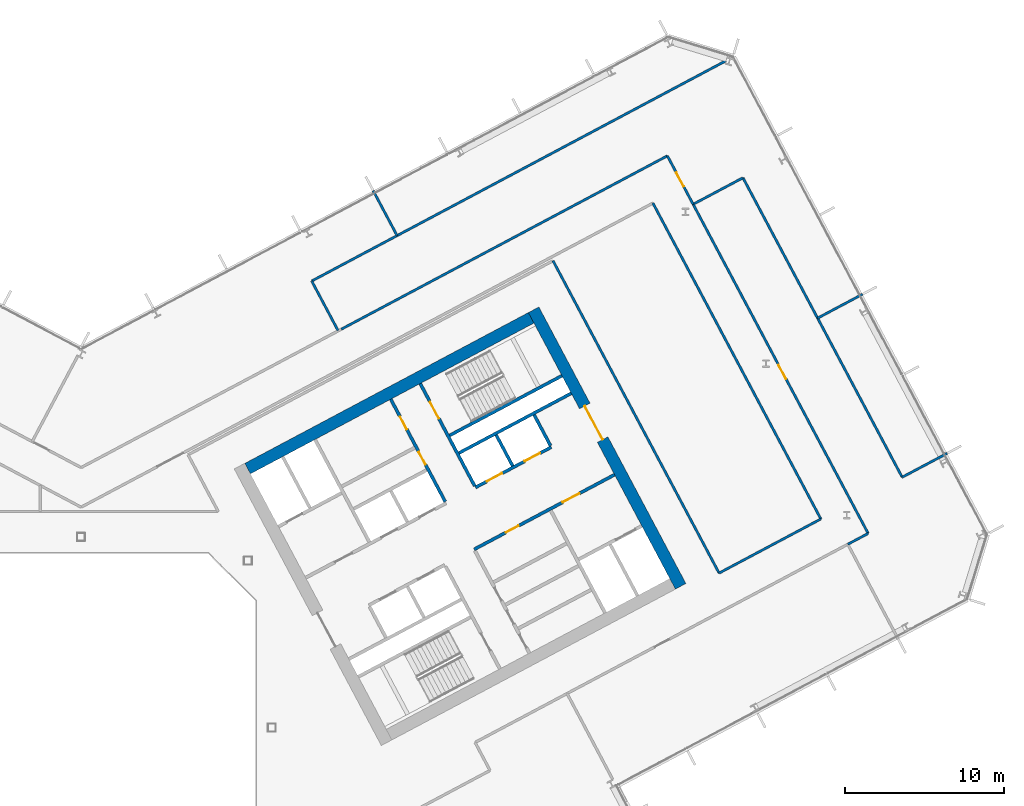
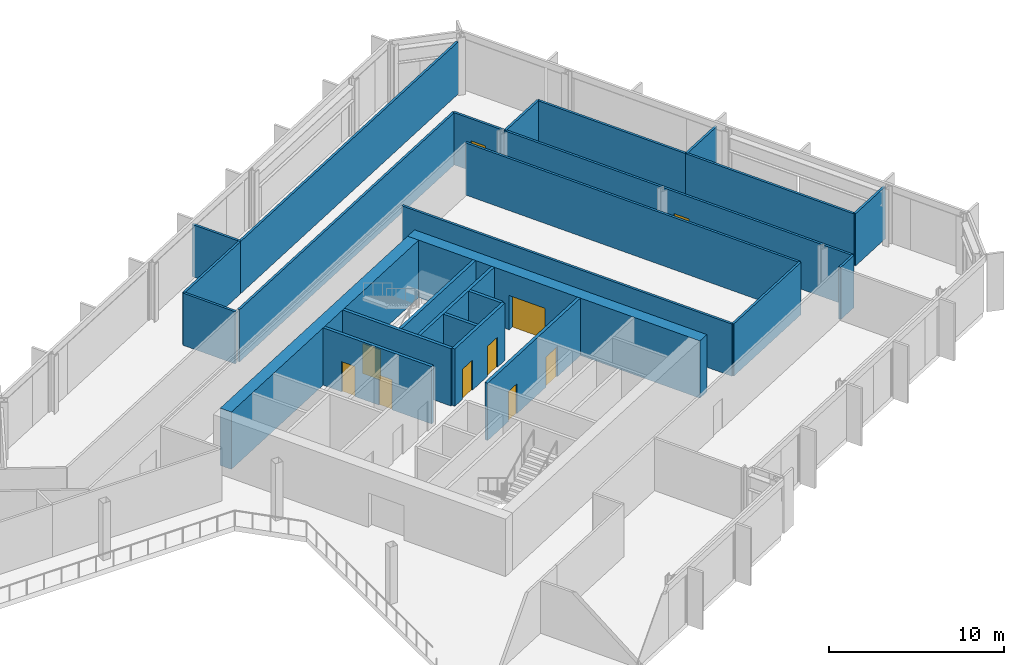
# One storey, part 17 of 28: 26 walls, 10 doors, 10 openings.
"""IFC4 building model written with IfcOpenShell, lengths in metres."""

from ifc_helpers import new_model, si_unit, direction, frame, frame_2d, origin, place, context, subcontext, project, spatial, rectangle, extrude, material, layer, layer_set, type_object, element, fill, save


model = new_model("IFC4")

# Units and contexts
model_context = context("Model", 3, precision=1e-05, world=origin(), true_north=direction((0.0, 1.0)))
body_context = subcontext(model_context, "Body", "Model", "MODEL_VIEW")
ifc_project = project(units=[si_unit("LENGTHUNIT", "METRE"), si_unit("AREAUNIT", "SQUARE_METRE"), si_unit("VOLUMEUNIT", "CUBIC_METRE"), si_unit("PLANEANGLEUNIT", "RADIAN"), si_unit("MASSUNIT", "GRAM", prefix="KILO")], contexts=[model_context])

# Site, building, storey
site_placement = place(None, origin())
site = spatial("IfcSite", under=ifc_project, at=site_placement, CompositionType="ELEMENT")
building_placement = place(site_placement, origin())
building = spatial("IfcBuilding", under=site, at=building_placement, Name="Cormorant Relay Tower", CompositionType="ELEMENT")
storey_placement = place(building_placement, frame((0.0, 0.0, 154.199951171875)))
storey = spatial("IfcBuildingStorey", under=building, at=storey_placement, Name="L32", CompositionType="ELEMENT", Elevation=154.199951171875)

# Wall
ifc_material_1 = material(Name="Concrete 40 MPa", Category="concrete")
ifc_layer_1 = layer(ifc_material_1, 0.199951171875)
ifc_layer_set_1 = layer_set([ifc_layer_1], Name="Core internal wall 200")
wall_type_1 = type_object("IfcWallType", Name="Core internal wall 200", PredefinedType="SOLIDWALL", material=ifc_layer_set_1)
wall_1_placement = place(storey_placement, frame((27.144287109375, 16.471435546875, 0.0), z_axis=(0.0, 0.0, 1.0), x_axis=(-0.469401318492, 0.882984938828, 0.0)))
element("IfcWall", 1, at=wall_1_placement, inside=storey, type_object=wall_type_1, Name="L32 core B shaft and room wall", PredefinedType="SOLIDWALL", context=body_context, shape_type="SweptSolid", body=[
    extrude(rectangle(XDim=2.199951171875, YDim=0.199951171875, at=frame_2d((1.10009765625, 0.0))), origin(), (0.0, 0.0, 1.0), 4.0),
])

# Wall, openings, doors
ifc_material_2 = material(Name="Concrete 50 MPa", Category="concrete")
ifc_layer_2 = layer(ifc_material_2, 0.199951171875)
ifc_layer_set_2 = layer_set([ifc_layer_2], Name="Core shaft wall 200")
wall_type_2 = type_object("IfcWallType", Name="Core shaft wall 200", PredefinedType="SHEAR", material=ifc_layer_set_2)
wall_2_placement = place(storey_placement, frame((22.90625, 14.218017578125, 0.0), z_axis=(0.0, 0.0, 1.0), x_axis=(-0.469480409012, 0.88294288918, 0.0)))
wall_2 = element("IfcWall", 2, at=wall_2_placement, inside=storey, type_object=wall_type_2, Name="L32 core B shaft wall", PredefinedType="SHEAR", context=body_context, shape_type="SweptSolid", body=[
    extrude(rectangle(XDim=7.300048828125, YDim=0.199951171875, at=frame_2d((3.64990234375, 0.0))), origin(), (0.0, 0.0, 1.0), 4.0),
])
opening_1_placement = place(wall_2_placement, frame((2.64990234375, 0.0, 0.0)))
opening_1 = element("IfcOpeningElement", 3, at=opening_1_placement, cuts=wall_2, Name="Opening CDD-208", PredefinedType="OPENING", context=body_context, shape_type="SweptSolid", body=[
    extrude(rectangle(XDim=0.89990234375, YDim=2.10009765625, at=frame_2d((0.449951171875, 1.050048828125))), frame((0.0, 0.10986328125, 0.0), z_axis=(0.0, -1.0, 0.0), x_axis=(1.0, 0.0, 0.0)), (0.0, 0.0, 1.0), 0.219970703125),
])
opening_2_placement = place(wall_2_placement, frame((5.14990234375, 0.0, 0.0)))
opening_2 = element("IfcOpeningElement", 4, at=opening_2_placement, cuts=wall_2, Name="Opening CDD-209", PredefinedType="OPENING", context=body_context, shape_type="SweptSolid", body=[
    extrude(rectangle(XDim=0.89990234375, YDim=2.10009765625, at=frame_2d((0.449951171875, 1.050048828125))), frame((0.0, 0.10986328125, 0.0), z_axis=(0.0, -1.0, 0.0), x_axis=(1.0, 0.0, 0.0)), (0.0, 0.0, 1.0), 0.219970703125),
])
ifc_material_3 = material(Name="Steel fire door", Category="steel")
door_type_1 = type_object("IfcDoorType", Name="Core room door 900x2100", OperationType="SINGLE_SWING_LEFT", PredefinedType="DOOR", material=ifc_material_3)
door_1_placement = place(opening_1_placement, origin())
door_1 = element("IfcDoor", 5, at=door_1_placement, inside=storey, type_object=door_type_1, Name="Core room door 900x2100", OperationType="SINGLE_SWING_RIGHT", OverallHeight=2.10009765625, OverallWidth=0.89990234375, PredefinedType="DOOR", context=body_context, shape_type="SweptSolid", body=[
    extrude(rectangle(XDim=0.89990234375, YDim=2.10009765625, at=frame_2d((0.449951171875, 1.050048828125))), frame((0.0, 0.02490234375, 0.0), z_axis=(0.0, -1.0, 0.0), x_axis=(1.0, 0.0, 0.0)), (0.0, 0.0, 1.0), 0.050048828125),
])
fill(opening_1, door_1)
door_2_placement = place(opening_2_placement, origin())
door_2 = element("IfcDoor", 6, at=door_2_placement, inside=storey, type_object=door_type_1, Name="Core room door 900x2100", OperationType="SINGLE_SWING_LEFT", OverallHeight=2.10009765625, OverallWidth=0.89990234375, PredefinedType="DOOR", context=body_context, shape_type="SweptSolid", body=[
    extrude(rectangle(XDim=0.89990234375, YDim=2.10009765625, at=frame_2d((0.449951171875, 1.050048828125))), frame((0.0, 0.02490234375, 0.0), z_axis=(0.0, -1.0, 0.0), x_axis=(1.0, 0.0, 0.0)), (0.0, 0.0, 1.0), 0.050048828125),
])
fill(opening_2, door_2)

# Wall, opening, door
wall_3_placement = place(storey_placement, frame((24.760498046875, 15.2041015625, 0.0), z_axis=(0.0, 0.0, 1.0), x_axis=(-0.469494272526, 0.882935517501, 0.0)))
wall_3 = element("IfcWall", 7, at=wall_3_placement, inside=storey, type_object=wall_type_2, Name="L32 core B shaft wall", PredefinedType="SHEAR", context=body_context, shape_type="SweptSolid", body=[
    extrude(rectangle(XDim=7.2998046875, YDim=0.199951171875, at=frame_2d((3.64990234375, 0.0))), origin(), (0.0, 0.0, 1.0), 4.0),
])
opening_3_placement = place(wall_3_placement, frame((4.800048828125, 0.0, 0.0)))
opening_3 = element("IfcOpeningElement", 8, at=opening_3_placement, cuts=wall_3, Name="Opening CDB-037", PredefinedType="OPENING", context=body_context, shape_type="SweptSolid", body=[
    extrude(rectangle(XDim=1.199951171875, YDim=2.10009765625, at=frame_2d((0.60009765625, 1.050048828125))), frame((0.0, 0.10986328125, 0.0), z_axis=(0.0, -1.0, 0.0), x_axis=(1.0, 0.0, 0.0)), (0.0, 0.0, 1.0), 0.219970703125),
])
ifc_material_4 = material(Name="Steel fire door", Category="steel")
door_type_2 = type_object("IfcDoorType", Name="Core stair door 1200x2100", OperationType="SINGLE_SWING_LEFT", PredefinedType="DOOR", material=ifc_material_4)
door_3_placement = place(opening_3_placement, frame((1.199951171875, 0.0, 0.0), z_axis=(0.0, 0.0, 1.0), x_axis=(-1.0, 0.0, 0.0)))
door_3 = element("IfcDoor", 9, at=door_3_placement, inside=storey, type_object=door_type_2, Name="Core stair door 1200x2100", OperationType="SINGLE_SWING_RIGHT", OverallHeight=2.10009765625, OverallWidth=1.199951171875, PredefinedType="DOOR", context=body_context, shape_type="SweptSolid", body=[
    extrude(rectangle(XDim=1.199951171875, YDim=2.10009765625, at=frame_2d((0.60009765625, 1.050048828125))), frame((0.0, 0.02490234375, 0.0), z_axis=(0.0, -1.0, 0.0), x_axis=(1.0, 0.0, 0.0)), (0.0, 0.0, 1.0), 0.050048828125),
])
fill(opening_3, door_3)

# Wall
wall_4_placement = place(storey_placement, frame((29.5283203125, 17.739013671875, 0.0), z_axis=(0.0, 0.0, 1.0), x_axis=(-0.469401318492, 0.882984938828, 0.0)))
element("IfcWall", 10, at=wall_4_placement, inside=storey, type_object=wall_type_2, Name="L32 core B shaft wall", PredefinedType="SHEAR", context=body_context, shape_type="SweptSolid", body=[
    extrude(rectangle(XDim=2.199951171875, YDim=0.199951171875, at=frame_2d((1.10009765625, 0.0))), origin(), (0.0, 0.0, 1.0), 4.0),
])

# Wall, openings, doors
wall_5_placement = place(storey_placement, frame((24.72607421875, 11.2216796875, 0.0), z_axis=(0.0, 0.0, 1.0), x_axis=(0.882940221191, 0.469485426614, 0.0)))
wall_5 = element("IfcWall", 11, at=wall_5_placement, inside=storey, type_object=wall_type_2, Name="L32 core B shaft wall", PredefinedType="SHEAR", context=body_context, shape_type="SweptSolid", body=[
    extrude(rectangle(XDim=10.0, YDim=0.199951171875, at=frame_2d((5.0, 0.0))), origin(), (0.0, 0.0, 1.0), 4.0),
])
opening_4_placement = place(wall_5_placement, frame((6.300048828125, 0.0, 0.0)))
opening_4 = element("IfcOpeningElement", 12, at=opening_4_placement, cuts=wall_5, Name="Opening CDC-030", PredefinedType="OPENING", context=body_context, shape_type="SweptSolid", body=[
    extrude(rectangle(XDim=1.199951171875, YDim=2.10009765625, at=frame_2d((0.60009765625, 1.050048828125))), frame((0.0, 0.10986328125, 0.0), z_axis=(0.0, -1.0, 0.0), x_axis=(1.0, 0.0, 0.0)), (0.0, 0.0, 1.0), 0.219970703125),
])
opening_5_placement = place(wall_5_placement, frame((2.25, 0.0, 0.0)))
opening_5 = element("IfcOpeningElement", 13, at=opening_5_placement, cuts=wall_5, Name="Opening CDD-191", PredefinedType="OPENING", context=body_context, shape_type="SweptSolid", body=[
    extrude(rectangle(XDim=0.89990234375, YDim=2.10009765625, at=frame_2d((0.449951171875, 1.050048828125))), frame((0.0, 0.10986328125, 0.0), z_axis=(0.0, -1.0, 0.0), x_axis=(1.0, 0.0, 0.0)), (0.0, 0.0, 1.0), 0.219970703125),
])
ifc_material_5 = material(Name="Steel fire door", Category="steel")
door_type_3 = type_object("IfcDoorType", Name="Core lobby door 1200x2100", OperationType="SINGLE_SWING_LEFT", PredefinedType="DOOR", material=ifc_material_5)
door_4_placement = place(opening_4_placement, origin())
door_4 = element("IfcDoor", 14, at=door_4_placement, inside=storey, type_object=door_type_3, Name="Core lobby door 1200x2100", OperationType="SINGLE_SWING_LEFT", OverallHeight=2.10009765625, OverallWidth=1.199951171875, PredefinedType="DOOR", context=body_context, shape_type="SweptSolid", body=[
    extrude(rectangle(XDim=1.199951171875, YDim=2.10009765625, at=frame_2d((0.60009765625, 1.050048828125))), frame((0.0, 0.02490234375, 0.0), z_axis=(0.0, -1.0, 0.0), x_axis=(1.0, 0.0, 0.0)), (0.0, 0.0, 1.0), 0.050048828125),
])
fill(opening_4, door_4)
door_5_placement = place(opening_5_placement, origin())
door_5 = element("IfcDoor", 15, at=door_5_placement, inside=storey, type_object=door_type_1, Name="Core room door 900x2100", OperationType="SINGLE_SWING_LEFT", OverallHeight=2.10009765625, OverallWidth=0.89990234375, PredefinedType="DOOR", context=body_context, shape_type="SweptSolid", body=[
    extrude(rectangle(XDim=0.89990234375, YDim=2.10009765625, at=frame_2d((0.449951171875, 1.050048828125))), frame((0.0, 0.02490234375, 0.0), z_axis=(0.0, -1.0, 0.0), x_axis=(1.0, 0.0, 0.0)), (0.0, 0.0, 1.0), 0.050048828125),
])
fill(opening_5, door_5)

wall_6_placement = place(storey_placement, frame((24.807373046875, 15.11572265625, 0.0), z_axis=(0.0, 0.0, 1.0), x_axis=(0.882942972946, 0.469480251476, 0.0)))
wall_6 = element("IfcWall", 16, at=wall_6_placement, inside=storey, type_object=wall_type_2, Name="L32 core B shaft wall", PredefinedType="SHEAR", context=body_context, shape_type="SweptSolid", body=[
    extrude(rectangle(XDim=5.39990234375, YDim=0.199951171875, at=frame_2d((2.699951171875, 0.0))), origin(), (0.0, 0.0, 1.0), 4.0),
])
opening_6_placement = place(wall_6_placement, frame((0.800048828125, 0.0, 0.0)))
opening_6 = element("IfcOpeningElement", 17, at=opening_6_placement, cuts=wall_6, Name="Opening LD1-046", PredefinedType="OPENING", context=body_context, shape_type="SweptSolid", body=[
    extrude(rectangle(XDim=1.10009765625, YDim=2.10009765625, at=frame_2d((0.550048828125, 1.050048828125))), frame((0.0, 0.10986328125, 0.0), z_axis=(0.0, -1.0, 0.0), x_axis=(1.0, 0.0, 0.0)), (0.0, 0.0, 1.0), 0.219970703125),
])
opening_7_placement = place(wall_6_placement, frame((3.5, 0.0, 0.0)))
opening_7 = element("IfcOpeningElement", 18, at=opening_7_placement, cuts=wall_6, Name="Opening LD1-047", PredefinedType="OPENING", context=body_context, shape_type="SweptSolid", body=[
    extrude(rectangle(XDim=1.10009765625, YDim=2.10009765625, at=frame_2d((0.550048828125, 1.050048828125))), frame((0.0, 0.10986328125, 0.0), z_axis=(0.0, -1.0, 0.0), x_axis=(1.0, 0.0, 0.0)), (0.0, 0.0, 1.0), 0.219970703125),
])
ifc_material_6 = material(Name="Stainless steel 316", Category="steel")
door_type_4 = type_object("IfcDoorType", Name="Lift landing door 1100x2100", OperationType="DOUBLE_DOOR_SLIDING", PredefinedType="DOOR", material=ifc_material_6)
door_6_placement = place(opening_6_placement, origin())
door_6 = element("IfcDoor", 19, at=door_6_placement, inside=storey, type_object=door_type_4, Name="LR3 landing door", OperationType="DOUBLE_DOOR_SLIDING", OverallHeight=2.10009765625, OverallWidth=1.10009765625, PredefinedType="DOOR", context=body_context, shape_type="SweptSolid", body=[
    extrude(rectangle(XDim=1.10009765625, YDim=2.10009765625, at=frame_2d((0.550048828125, 1.050048828125))), frame((0.0, 0.02490234375, 0.0), z_axis=(0.0, -1.0, 0.0), x_axis=(1.0, 0.0, 0.0)), (0.0, 0.0, 1.0), 0.050048828125),
])
fill(opening_6, door_6)
door_7_placement = place(opening_7_placement, origin())
door_7 = element("IfcDoor", 20, at=door_7_placement, inside=storey, type_object=door_type_4, Name="LR4 landing door", OperationType="DOUBLE_DOOR_SLIDING", OverallHeight=2.10009765625, OverallWidth=1.10009765625, PredefinedType="DOOR", context=body_context, shape_type="SweptSolid", body=[
    extrude(rectangle(XDim=1.10009765625, YDim=2.10009765625, at=frame_2d((0.550048828125, 1.050048828125))), frame((0.0, 0.02490234375, 0.0), z_axis=(0.0, -1.0, 0.0), x_axis=(1.0, 0.0, 0.0)), (0.0, 0.0, 1.0), 0.050048828125),
])
fill(opening_7, door_7)

# Walls
wall_7_placement = place(storey_placement, frame((23.76904296875, 17.28173828125, 0.0), z_axis=(0.0, 0.0, 1.0), x_axis=(0.882940221191, 0.469485426614, 0.0)))
element("IfcWall", 21, at=wall_7_placement, inside=storey, type_object=wall_type_2, Name="L32 core B shaft wall", PredefinedType="SHEAR", context=body_context, shape_type="SweptSolid", body=[
    extrude(rectangle(XDim=8.0, YDim=0.199951171875, at=frame_2d((4.0, 0.0))), origin(), (0.0, 0.0, 1.0), 4.0),
])
wall_8_placement = place(storey_placement, frame((23.18212890625, 18.385498046875, 0.0), z_axis=(0.0, 0.0, 1.0), x_axis=(0.88295287151, 0.469461634952, 0.0)))
element("IfcWall", 22, at=wall_8_placement, inside=storey, type_object=wall_type_2, Name="L32 core B shaft wall", PredefinedType="SHEAR", context=body_context, shape_type="SweptSolid", body=[
    extrude(rectangle(XDim=7.999755859375, YDim=0.199951171875, at=frame_2d((4.0, 0.0))), origin(), (0.0, 0.0, 1.0), 4.0),
])

# Wall, opening, door
ifc_material_7 = material(Name="Concrete 60 MPa", Category="concrete")
ifc_layer_3 = layer(ifc_material_7, 0.75)
ifc_layer_set_3 = layer_set([ifc_layer_3], Name="Core wall 750")
wall_type_3 = type_object("IfcWallType", Name="Core wall 750", PredefinedType="SHEAR", material=ifc_layer_set_3)
wall_9_placement = place(storey_placement, frame((37.712646484375, 8.896484375, 0.0), z_axis=(0.0, 0.0, 1.0), x_axis=(-0.469469918705, 0.88294846703, 0.0)))
wall_9 = element("IfcWall", 23, at=wall_9_placement, inside=storey, type_object=wall_type_3, Name="L32 core B wall", PredefinedType="SHEAR", context=body_context, shape_type="SweptSolid", body=[
    extrude(rectangle(XDim=19.699951171875, YDim=0.75, at=frame_2d((9.85009765625, 0.0))), origin(), (0.0, 0.0, 1.0), 4.0),
])
opening_8_placement = place(wall_9_placement, frame((10.449951171875, 0.0, 0.0)))
opening_8 = element("IfcOpeningElement", 24, at=opening_8_placement, cuts=wall_9, Name="Opening CDA-029", PredefinedType="OPENING", context=body_context, shape_type="SweptSolid", body=[
    extrude(rectangle(XDim=2.39990234375, YDim=2.39990234375, at=frame_2d((1.199951171875, 1.199951171875))), frame((0.0, 0.385009765625, 0.0), z_axis=(0.0, -1.0, 0.0), x_axis=(1.0, 0.0, 0.0)), (0.0, 0.0, 1.0), 0.77001953125),
])
ifc_material_8 = material(Name="Steel fire door", Category="steel")
door_type_5 = type_object("IfcDoorType", Name="Core lobby door 2400x2400", OperationType="DOUBLE_DOOR_SINGLE_SWING", PredefinedType="DOOR", material=ifc_material_8)
door_8_placement = place(opening_8_placement, origin())
door_8 = element("IfcDoor", 25, at=door_8_placement, inside=storey, type_object=door_type_5, Name="Core lobby door 2400x2400", OperationType="DOUBLE_DOOR_SINGLE_SWING", OverallHeight=2.39990234375, OverallWidth=2.39990234375, PredefinedType="DOOR", context=body_context, shape_type="SweptSolid", body=[
    extrude(rectangle(XDim=2.39990234375, YDim=2.39990234375, at=frame_2d((1.199951171875, 1.199951171875))), frame((0.0, 0.02490234375, 0.0), z_axis=(0.0, -1.0, 0.0), x_axis=(1.0, 0.0, 0.0)), (0.0, 0.0, 1.0), 0.050048828125),
])
fill(opening_8, door_8)

# Walls
wall_10_placement = place(storey_placement, frame((10.4736328125, 16.300048828125, 0.0), z_axis=(0.0, 0.0, 1.0), x_axis=(0.88295010195, 0.469466843842, 0.0)))
element("IfcWall", 26, at=wall_10_placement, inside=storey, type_object=wall_type_3, Name="L32 core B wall", PredefinedType="SHEAR", context=body_context, shape_type="SweptSolid", body=[
    extrude(rectangle(XDim=20.199951171875, YDim=0.75, at=frame_2d((10.10009765625, 0.0))), origin(), (0.0, 0.0, 1.0), 4.0),
])
ifc_material_9 = material(Name="Gypsum board fire partition")
ifc_layer_4 = layer(ifc_material_9, 0.14990234375)
ifc_layer_set_4 = layer_set([ifc_layer_4], Name="Corridor partition 150 EI 60")
wall_type_4 = type_object("IfcWallType", Name="Corridor partition 150 EI 60", PredefinedType="PARTITIONING", material=ifc_layer_set_4)
wall_11_placement = place(storey_placement, frame((35.968017578125, 32.9990234375, 0.0), z_axis=(0.0, 0.0, 1.0), x_axis=(0.469455871296, -0.882955935993, 0.0)))
element("IfcWall", 27, at=wall_11_placement, inside=storey, type_object=wall_type_4, Name="wall/L32/part/052", PredefinedType="PARTITIONING", context=body_context, shape_type="SweptSolid", body=[
    extrude(rectangle(XDim=22.50048828125, YDim=0.14990234375, at=frame_2d((11.250244140625, 0.0))), origin(), (0.0, 0.0, 1.0), 3.64013671875),
])
wall_12_placement = place(storey_placement, frame((46.531005859375, 13.132080078125, 0.0), z_axis=(0.0, 0.0, 1.0), x_axis=(-0.882973969552, -0.46942195208, 0.0)))
element("IfcWall", 28, at=wall_12_placement, inside=storey, type_object=wall_type_4, Name="wall/L32/part/053", PredefinedType="PARTITIONING", context=body_context, shape_type="SweptSolid", body=[
    extrude(rectangle(XDim=7.24951171875, YDim=0.14990234375, at=frame_2d((3.624755859375, 0.0))), origin(), (0.0, 0.0, 1.0), 3.64013671875),
])
wall_13_placement = place(storey_placement, frame((40.1298828125, 9.72900390625, 0.0), z_axis=(0.0, 0.0, 1.0), x_axis=(-0.469484128043, 0.882940911679, 0.0)))
element("IfcWall", 29, at=wall_13_placement, inside=storey, type_object=wall_type_4, Name="wall/L32/part/054", PredefinedType="PARTITIONING", context=body_context, shape_type="SweptSolid", body=[
    extrude(rectangle(XDim=22.24951171875, YDim=0.14990234375, at=frame_2d((11.124755859375, 0.0))), origin(), (0.0, 0.0, 1.0), 3.64013671875),
])

# Wall, opening, door
wall_14_placement = place(storey_placement, frame((38.493896484375, 32.93408203125, 0.0), z_axis=(0.0, 0.0, 1.0), x_axis=(-0.469590631125, 0.882884272801, 0.0)))
wall_14 = element("IfcWall", 30, at=wall_14_placement, inside=storey, type_object=wall_type_4, Name="wall/L32/part/068", PredefinedType="PARTITIONING", context=body_context, shape_type="SweptSolid", body=[
    extrude(rectangle(XDim=3.443359375, YDim=0.14990234375, at=frame_2d((1.7216796875, 0.0))), origin(), (0.0, 0.0, 1.0), 3.64013671875),
])
opening_9_placement = place(wall_14_placement, frame((1.25, 0.0, 0.0)))
opening_9 = element("IfcOpeningElement", 31, at=opening_9_placement, cuts=wall_14, Name="Opening DS-049", PredefinedType="OPENING", context=body_context, shape_type="SweptSolid", body=[
    extrude(rectangle(XDim=1.0, YDim=2.10009765625, at=frame_2d((0.5, 1.050048828125))), frame((0.0, 0.0849609375, 0.0), z_axis=(0.0, -1.0, 0.0), x_axis=(1.0, 0.0, 0.0)), (0.0, 0.0, 1.0), 0.169921875),
])
ifc_material_10 = material(Name="Timber door leaf", Category="wood")
door_type_6 = type_object("IfcDoorType", Name="Suite door 1000x2100", OperationType="SINGLE_SWING_LEFT", PredefinedType="DOOR", material=ifc_material_10)
door_9_placement = place(opening_9_placement, frame((1.0, 0.0, 0.0), z_axis=(0.0, 0.0, 1.0), x_axis=(-1.0, 0.0, 0.0)))
door_9 = element("IfcDoor", 32, at=door_9_placement, inside=storey, type_object=door_type_6, Name="door/L32/007", OperationType="SINGLE_SWING_RIGHT", OverallHeight=2.10009765625, OverallWidth=1.0, PredefinedType="DOOR", context=body_context, shape_type="SweptSolid", body=[
    extrude(rectangle(XDim=1.0, YDim=2.10009765625, at=frame_2d((0.5, 1.050048828125))), frame((0.0, 0.02490234375, 0.0), z_axis=(0.0, -1.0, 0.0), x_axis=(1.0, 0.0, 0.0)), (0.0, 0.0, 1.0), 0.050048828125),
])
fill(opening_9, door_9)

# Wall
wall_15_placement = place(storey_placement, frame((16.3720703125, 25.071044921875, 0.0), z_axis=(0.0, 0.0, 1.0), x_axis=(0.88294906825, 0.469468787968, 0.0)))
element("IfcWall", 33, at=wall_15_placement, inside=storey, type_object=wall_type_4, Name="wall/L32/part/069", PredefinedType="PARTITIONING", context=body_context, shape_type="SweptSolid", body=[
    extrude(rectangle(XDim=23.224365234375, YDim=0.14990234375, at=frame_2d((11.6123046875, 0.0))), origin(), (0.0, 0.0, 1.0), 3.64013671875),
])

# Wall, opening, door
wall_16_placement = place(storey_placement, frame((38.493896484375, 32.93408203125, 0.0), z_axis=(0.0, 0.0, 1.0), x_axis=(0.469489027753, -0.88293830635, 0.0)))
wall_16 = element("IfcWall", 34, at=wall_16_placement, inside=storey, type_object=wall_type_4, Name="wall/L32/part/077", PredefinedType="PARTITIONING", context=body_context, shape_type="SweptSolid", body=[
    extrude(rectangle(XDim=23.455810546875, YDim=0.14990234375, at=frame_2d((11.72802734375, 0.0))), origin(), (0.0, 0.0, 1.0), 3.64013671875),
])
opening_10_placement = place(wall_16_placement, frame((11.449951171875, 0.0, 0.0)))
opening_10 = element("IfcOpeningElement", 35, at=opening_10_placement, cuts=wall_16, Name="Opening DS-048", PredefinedType="OPENING", context=body_context, shape_type="SweptSolid", body=[
    extrude(rectangle(XDim=1.0, YDim=2.10009765625, at=frame_2d((0.5, 1.050048828125))), frame((0.0, 0.0849609375, 0.0), z_axis=(0.0, -1.0, 0.0), x_axis=(1.0, 0.0, 0.0)), (0.0, 0.0, 1.0), 0.169921875),
])
door_10_placement = place(opening_10_placement, origin())
door_10 = element("IfcDoor", 36, at=door_10_placement, inside=storey, type_object=door_type_6, Name="door/L32/006", OperationType="SINGLE_SWING_LEFT", OverallHeight=2.10009765625, OverallWidth=1.0, PredefinedType="DOOR", context=body_context, shape_type="SweptSolid", body=[
    extrude(rectangle(XDim=1.0, YDim=2.10009765625, at=frame_2d((0.5, 1.050048828125))), frame((0.0, 0.02490234375, 0.0), z_axis=(0.0, -1.0, 0.0), x_axis=(1.0, 0.0, 0.0)), (0.0, 0.0, 1.0), 0.050048828125),
])
fill(opening_10, door_10)

# Walls
wall_17_placement = place(storey_placement, frame((49.507080078125, 12.222900390625, 0.0), z_axis=(0.0, 0.0, 1.0), x_axis=(-0.882991303687, -0.469389345441, 0.0)))
element("IfcWall", 37, at=wall_17_placement, inside=storey, type_object=wall_type_4, Name="wall/L32/part/083", PredefinedType="PARTITIONING", context=body_context, shape_type="SweptSolid", body=[
    extrude(rectangle(XDim=1.448486328125, YDim=0.14990234375, at=frame_2d((0.72412109375, 0.0))), origin(), (0.0, 0.0, 1.0), 3.64013671875),
])
ifc_material_11 = material(Name="Gypsum board partition")
ifc_layer_5 = layer(ifc_material_11, 0.14990234375)
ifc_layer_set_5 = layer_set([ifc_layer_5], Name="Tenant partition 150")
wall_type_5 = type_object("IfcWallType", Name="Tenant partition 150", PredefinedType="PARTITIONING", material=ifc_layer_set_5)
wall_18_placement = place(storey_placement, frame((19.8349609375, 30.93310546875, 0.0), z_axis=(0.0, 0.0, 1.0), x_axis=(-0.882907712877, -0.46954655844, 0.0)))
element("IfcWall", 38, at=wall_18_placement, inside=storey, type_object=wall_type_5, Name="wall/L32/part/066", PredefinedType="PARTITIONING", context=body_context, shape_type="SweptSolid", body=[
    extrude(rectangle(XDim=6.03564453125, YDim=0.14990234375, at=frame_2d((3.017822265625, 0.0))), origin(), (0.0, 0.0, 1.0), 3.64013671875),
])
wall_19_placement = place(storey_placement, frame((14.506103515625, 28.09912109375, 0.0), z_axis=(0.0, 0.0, 1.0), x_axis=(0.469501472662, -0.882931688846, 0.0)))
element("IfcWall", 39, at=wall_19_placement, inside=storey, type_object=wall_type_5, Name="wall/L32/part/067", PredefinedType="PARTITIONING", context=body_context, shape_type="SweptSolid", body=[
    extrude(rectangle(XDim=3.5224609375, YDim=0.14990234375, at=frame_2d((1.76123046875, 0.0))), origin(), (0.0, 0.0, 1.0), 3.64013671875),
])
wall_20_placement = place(storey_placement, frame((18.3740234375, 33.780029296875, 0.0), z_axis=(0.0, 0.0, 1.0), x_axis=(0.469685095616, -0.882834022315, 0.0)))
element("IfcWall", 40, at=wall_20_placement, inside=storey, type_object=wall_type_5, Name="wall/L32/part/070", PredefinedType="PARTITIONING", context=body_context, shape_type="SweptSolid", body=[
    extrude(rectangle(XDim=3.199951171875, YDim=0.14990234375, at=frame_2d((1.60009765625, 0.0))), origin(), (0.0, 0.0, 1.0), 3.64013671875),
])
wall_21_placement = place(storey_placement, frame((19.8349609375, 30.93310546875, 0.0), z_axis=(0.0, 0.0, 1.0), x_axis=(0.88295274069, 0.469461880995, 0.0)))
element("IfcWall", 41, at=wall_21_placement, inside=storey, type_object=wall_type_5, Name="wall/L32/part/073", PredefinedType="PARTITIONING", context=body_context, shape_type="SweptSolid", body=[
    extrude(rectangle(XDim=23.475830078125, YDim=0.14990234375, at=frame_2d((11.73779296875, 0.0))), origin(), (0.0, 0.0, 1.0), 3.64013671875),
])
wall_22_placement = place(storey_placement, frame((46.326904296875, 25.764892578125, 0.0), z_axis=(0.0, 0.0, 1.0), x_axis=(-0.469495547168, 0.882934839719, 0.0)))
element("IfcWall", 42, at=wall_22_placement, inside=storey, type_object=wall_type_5, Name="wall/L32/part/078", PredefinedType="PARTITIONING", context=body_context, shape_type="SweptSolid", body=[
    extrude(rectangle(XDim=9.999755859375, YDim=0.14990234375, at=frame_2d((5.0, 0.0))), origin(), (0.0, 0.0, 1.0), 3.64013671875),
])
wall_23_placement = place(storey_placement, frame((41.632080078125, 34.593994140625, 0.0), z_axis=(0.0, 0.0, 1.0), x_axis=(-0.882969155568, -0.469431006981, 0.0)))
element("IfcWall", 43, at=wall_23_placement, inside=storey, type_object=wall_type_5, Name="wall/L32/part/079", PredefinedType="PARTITIONING", context=body_context, shape_type="SweptSolid", body=[
    extrude(rectangle(XDim=3.5380859375, YDim=0.14990234375, at=frame_2d((1.76904296875, 0.0))), origin(), (0.0, 0.0, 1.0), 3.64013671875),
])
wall_24_placement = place(storey_placement, frame((49.152099609375, 27.26806640625, 0.0), z_axis=(0.0, 0.0, 1.0), x_axis=(-0.882819217955, -0.469712921271, 0.0)))
element("IfcWall", 44, at=wall_24_placement, inside=storey, type_object=wall_type_5, Name="wall/L32/part/080", PredefinedType="PARTITIONING", context=body_context, shape_type="SweptSolid", body=[
    extrude(rectangle(XDim=3.2001953125, YDim=0.14990234375, at=frame_2d((1.60009765625, 0.0))), origin(), (0.0, 0.0, 1.0), 3.64013671875),
])
wall_25_placement = place(storey_placement, frame((46.326904296875, 25.764892578125, 0.0), z_axis=(0.0, 0.0, 1.0), x_axis=(0.46946183233, -0.882952766565, 0.0)))
element("IfcWall", 45, at=wall_25_placement, inside=storey, type_object=wall_type_5, Name="wall/L32/part/081", PredefinedType="PARTITIONING", context=body_context, shape_type="SweptSolid", body=[
    extrude(rectangle(XDim=11.332275390625, YDim=0.14990234375, at=frame_2d((5.666015625, 0.0))), origin(), (0.0, 0.0, 1.0), 3.64013671875),
])
wall_26_placement = place(storey_placement, frame((51.64697265625, 15.759033203125, 0.0), z_axis=(0.0, 0.0, 1.0), x_axis=(0.883154243406, 0.469082703107, 0.0)))
element("IfcWall", 46, at=wall_26_placement, inside=storey, type_object=wall_type_5, Name="wall/L32/part/082", PredefinedType="PARTITIONING", context=body_context, shape_type="SweptSolid", body=[
    extrude(rectangle(XDim=3.19970703125, YDim=0.14990234375, at=frame_2d((1.599853515625, 0.0))), origin(), (0.0, 0.0, 1.0), 3.64013671875),
])

save(model, "model.ifc")
